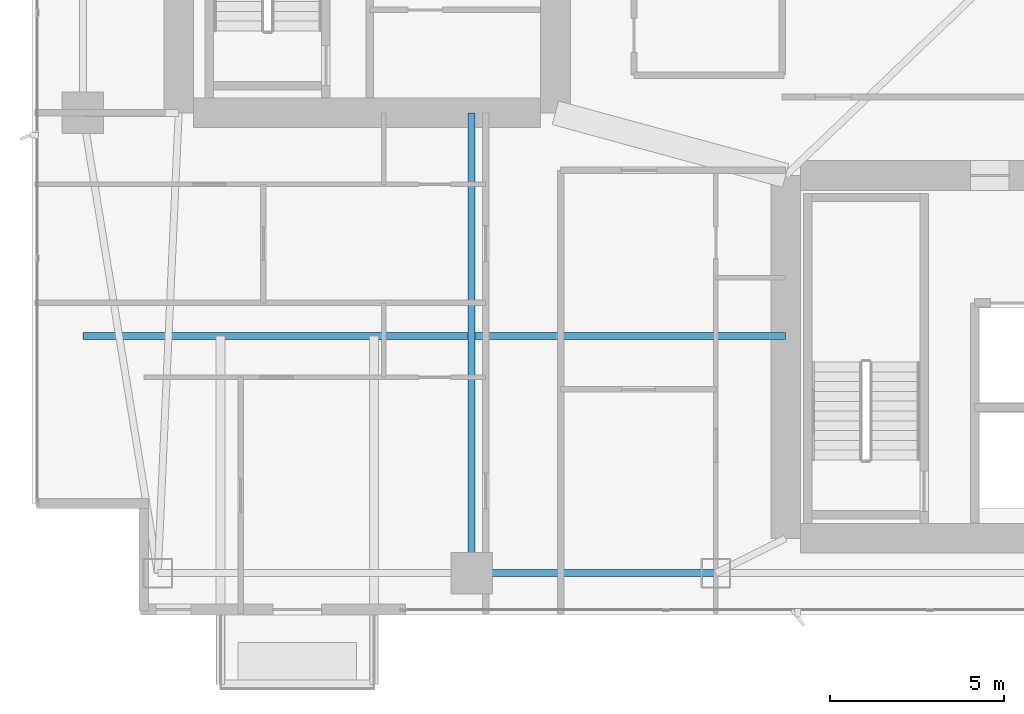
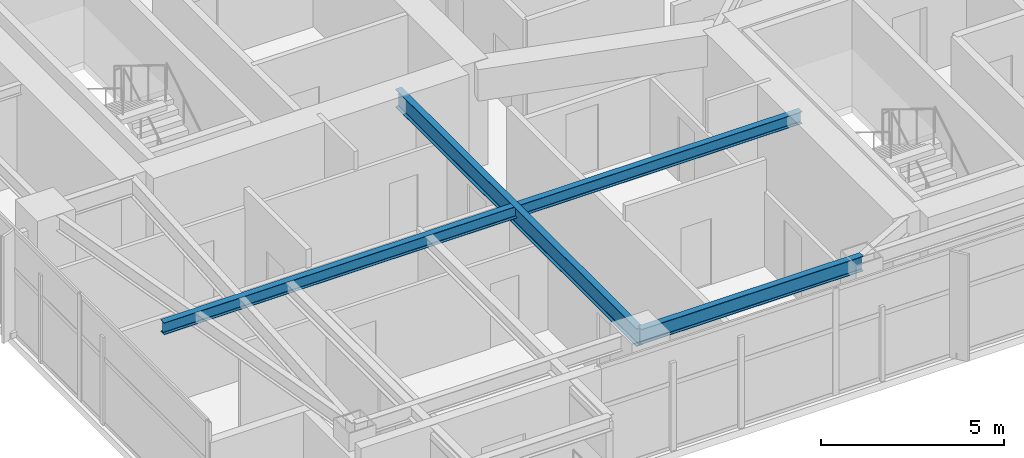
# One storey, part 5 of 29: 3 beams.
"""IFC4 building model written with IfcOpenShell, lengths in metres."""

from ifc_helpers import new_model, si_unit, direction, frame, origin, origin_2d, place, context, subcontext, project, spatial, i_section, extrude, material, material_profile, profile_set, type_object, element, save


model = new_model("IFC4")

# Units and contexts
model_context = context("Model", 3, precision=1e-05, world=origin(), true_north=direction((0.0, 1.0)))
body_context = subcontext(model_context, "Body", "Model", "MODEL_VIEW")
ifc_project = project(units=[si_unit("LENGTHUNIT", "METRE"), si_unit("AREAUNIT", "SQUARE_METRE"), si_unit("VOLUMEUNIT", "CUBIC_METRE"), si_unit("PLANEANGLEUNIT", "RADIAN"), si_unit("MASSUNIT", "GRAM", prefix="KILO")], contexts=[model_context])

# Site, building, storey
site_placement = place(None, origin())
site = spatial("IfcSite", under=ifc_project, at=site_placement, CompositionType="ELEMENT")
building_placement = place(site_placement, origin())
building = spatial("IfcBuilding", under=site, at=building_placement, Name="Calvorn Quay Hotel", CompositionType="ELEMENT")
storey_placement = place(building_placement, frame((0.0, 0.0, 167.5)))
storey = spatial("IfcBuildingStorey", under=building, at=storey_placement, Name="L41", CompositionType="ELEMENT", Elevation=167.5)

# Beams
ifc_material_1 = material(Name="Steel Q355B", Category="steel")
ifc_material_profile_1 = material_profile(ifc_material_1, i_section(OverallWidth=0.199951171875, OverallDepth=0.60009765625, WebThickness=0.010986328125, FlangeThickness=0.01708984375, FilletRadius=0.01806640625, at=origin_2d()), Name="HN600x200x11x17")
ifc_profile_set_1 = profile_set([ifc_material_profile_1], Name="Steel Q355B")
beam_type_1 = type_object("IfcBeamType", Name="BM-GIRD-TYP", PredefinedType="BEAM", material=ifc_profile_set_1)
beam_1_placement = place(storey_placement, frame((12.60009765625, 3.60009765625, 3.239990234375), z_axis=(0.0, 1.0, 0.0), x_axis=(-1.0, 0.0, 0.0)))
element("IfcBeam", 1, at=beam_1_placement, inside=storey, type_object=beam_type_1, Name="Beam BG-L41-S1", PredefinedType="BEAM", context=body_context, shape_type="SweptSolid", body=[
    extrude(i_section(OverallWidth=0.199951171875, OverallDepth=0.60009765625, WebThickness=0.010986328125, FlangeThickness=0.01708984375, FilletRadius=0.01806640625, at=origin_2d()), origin(), (0.0, 0.0, 1.0), 13.199951171875),
])
ifc_material_2 = material(Name="Steel Q355B", Category="steel")
ifc_material_profile_2 = material_profile(ifc_material_2, i_section(OverallWidth=0.199951171875, OverallDepth=0.39990234375, WebThickness=0.008056640625, FlangeThickness=0.012939453125, FilletRadius=0.01611328125, at=origin_2d()), Name="HN400x200x8x13")
ifc_profile_set_2 = profile_set([ifc_material_profile_2], Name="Steel Q355B")
beam_type_2 = type_object("IfcBeamType", Name="BM-JOIST-TYP", PredefinedType="JOIST", material=ifc_profile_set_2)
beam_2_placement = place(storey_placement, frame((1.449951171875, 10.39990234375, 3.340087890625), z_axis=(1.0, 0.0, 0.0), x_axis=(0.0, 1.0, 0.0)))
element("IfcBeam", 2, at=beam_2_placement, inside=storey, type_object=beam_type_2, Name="Beam BJ-L41-W1", PredefinedType="JOIST", context=body_context, shape_type="SweptSolid", body=[
    extrude(i_section(OverallWidth=0.199951171875, OverallDepth=0.39990234375, WebThickness=0.008056640625, FlangeThickness=0.012939453125, FilletRadius=0.01611328125, at=origin_2d()), origin(), (0.0, 0.0, 1.0), 20.150146484375),
])
ifc_material_3 = material(Name="Steel Q355B", Category="steel")
ifc_material_profile_3 = material_profile(ifc_material_3, i_section(OverallWidth=0.199951171875, OverallDepth=0.5, WebThickness=0.010009765625, FlangeThickness=0.01611328125, FilletRadius=0.01611328125, at=origin_2d()), Name="HN500x200x10x16")
ifc_profile_set_3 = profile_set([ifc_material_profile_3], Name="Steel Q355B")
beam_type_3 = type_object("IfcBeamType", Name="BM-SPANDREL-Z1", PredefinedType="SPANDREL", material=ifc_profile_set_3)
beam_3_placement = place(storey_placement, frame((12.60009765625, 3.60009765625, 3.2900390625), z_axis=(1.0, 0.0, 0.0), x_axis=(0.0, 1.0, 0.0)))
element("IfcBeam", 3, at=beam_3_placement, inside=storey, type_object=beam_type_3, Name="Beam BSP-L41-S2", PredefinedType="SPANDREL", context=body_context, shape_type="SweptSolid", body=[
    extrude(i_section(OverallWidth=0.199951171875, OverallDepth=0.5, WebThickness=0.010009765625, FlangeThickness=0.01611328125, FilletRadius=0.01611328125, at=origin_2d()), origin(), (0.0, 0.0, 1.0), 7.0),
])

save(model, "model.ifc")
